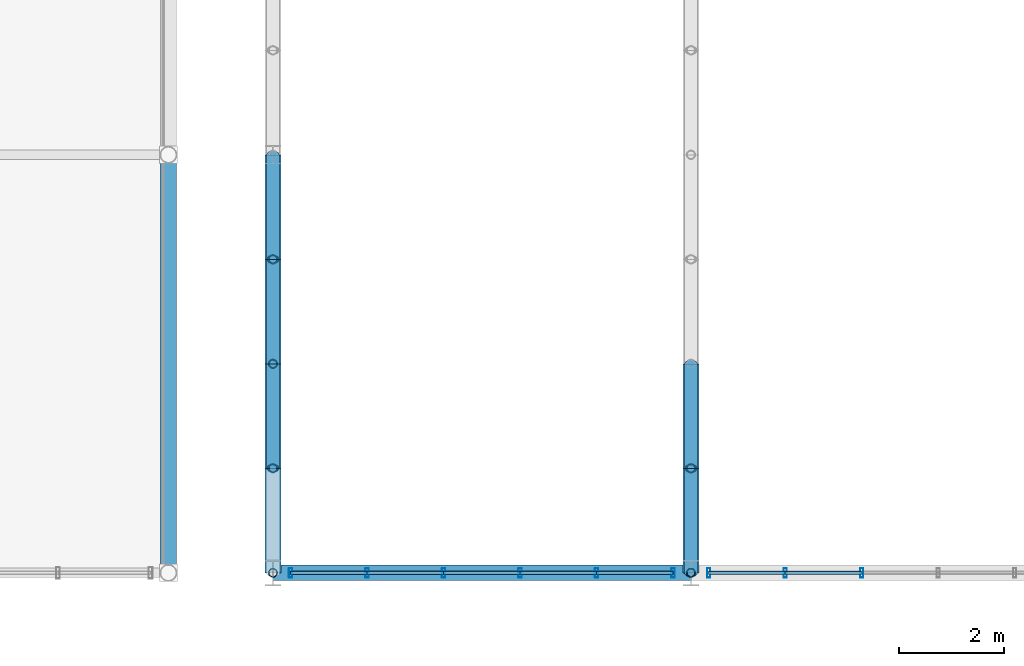
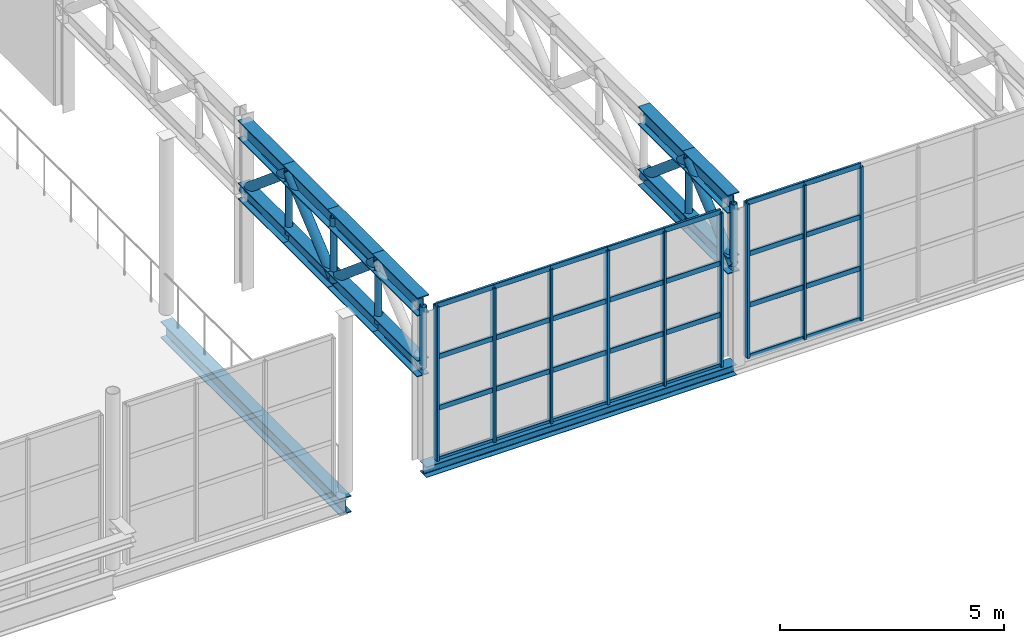
# One storey, part 37 of 143: 60 members, 2 beams, 2 elements without a shape of their own.
"""IFC4 building model written with IfcOpenShell, lengths in metres."""

from ifc_helpers import new_model, si_unit, derived_unit, direction, frame, origin, origin_2d, place, context, subcontext, project, spatial, hollow_rectangle, hollow_circle, i_section, extrude, material, material_profile, profile_set, type_object, element, aggregate, save


model = new_model("IFC4")

# Units and contexts
model_context = context("Model", 3, precision=1e-05, world=origin(), true_north=direction((0.0, 1.0)))
body_context = subcontext(model_context, "Body", "Model", "MODEL_VIEW")
ifc_project = project(units=[si_unit("LENGTHUNIT", "METRE"), si_unit("AREAUNIT", "SQUARE_METRE"), si_unit("VOLUMEUNIT", "CUBIC_METRE"), si_unit("PLANEANGLEUNIT", "RADIAN"), si_unit("MASSUNIT", "GRAM", prefix="KILO"), derived_unit("THERMALTRANSMITTANCEUNIT", [(si_unit("POWERUNIT", "WATT"), 1), (si_unit("LENGTHUNIT", "METRE"), -2), (si_unit("THERMODYNAMICTEMPERATUREUNIT", "KELVIN"), -1)])], contexts=[model_context])

# Site, building, storey
site_placement = place(None, origin())
site = spatial("IfcSite", under=ifc_project, at=site_placement, CompositionType="ELEMENT")
building_placement = place(site_placement, origin())
building = spatial("IfcBuilding", under=site, at=building_placement, Name="Keldorne Ridge Multi-Sports Centre", CompositionType="ELEMENT")
storey_placement = place(building_placement, frame((0.0, 0.0, 4.800048828125)))
storey = spatial("IfcBuildingStorey", under=building, at=storey_placement, Name="L01", CompositionType="ELEMENT", Elevation=4.800048828125)

# Beams
ifc_material_1 = material(Name="Steel S355", Category="steel")
ifc_material_profile_1 = material_profile(ifc_material_1, i_section(OverallWidth=0.300048828125, OverallDepth=0.449951171875, WebThickness=0.013916015625, FlangeThickness=0.02587890625, FilletRadius=0.027099609375, at=origin_2d()), Name="HEB 450")
ifc_profile_set_1 = profile_set([ifc_material_profile_1], Name="Steel S355")
beam_type_1 = type_object("IfcBeamType", Name="BM-B-11", PredefinedType="BEAM", material=ifc_profile_set_1)
beam_1_placement = place(storey_placement, frame((102.0, 6.0, -0.445068359375), z_axis=(0.0, 1.0, 0.0), x_axis=(-1.0, 0.0, 0.0)))
element("IfcBeam", 1, at=beam_1_placement, inside=storey, type_object=beam_type_1, Name="L01 passage girder G15.1", PredefinedType="BEAM", context=body_context, shape_type="SweptSolid", body=[
    extrude(i_section(OverallWidth=0.300048828125, OverallDepth=0.449951171875, WebThickness=0.013916015625, FlangeThickness=0.02587890625, FilletRadius=0.027099609375, at=origin_2d()), origin(), (0.0, 0.0, 1.0), 8.0),
])
ifc_material_profile_2 = material_profile(ifc_material_1, i_section(OverallWidth=0.300048828125, OverallDepth=0.2900390625, WebThickness=0.008544921875, FlangeThickness=0.013916015625, FilletRadius=0.027099609375, at=origin_2d()), Name="HEA 300")
ifc_profile_set_2 = profile_set([ifc_material_profile_2], Name="Steel S355")
beam_type_2 = type_object("IfcBeamType", Name="BM-SP-04", PredefinedType="SPANDREL", material=ifc_profile_set_2)
beam_2_placement = place(storey_placement, frame((104.0, 6.0, -0.150146484375), z_axis=(1.0, 0.0, 0.0), x_axis=(0.0, 1.0, 0.0)))
element("IfcBeam", 2, at=beam_2_placement, inside=storey, type_object=beam_type_2, Name="Stacked Courts spandrel L01.6.1", PredefinedType="SPANDREL", context=body_context, shape_type="SweptSolid", body=[
    extrude(i_section(OverallWidth=0.300048828125, OverallDepth=0.2900390625, WebThickness=0.008544921875, FlangeThickness=0.013916015625, FilletRadius=0.027099609375, at=origin_2d()), origin(), (0.0, 0.0, 1.0), 8.0),
])

# Curtain wall, members
ifc_material_2 = material(Name="Anodized aluminium", Category="aluminium")
curtain_wall_type_1 = type_object("IfcCurtainWallType", Name="CW-CW-07", PredefinedType="NOTDEFINED", material=ifc_material_2)
curtain_wall_1_placement = place(storey_placement, origin())
curtain_wall_1 = element("IfcCurtainWall", 3, at=curtain_wall_1_placement, inside=storey, type_object=curtain_wall_type_1, Name="Lower Courts high clerestory 087", PredefinedType="NOTDEFINED")
ifc_material_profile_3 = material_profile(ifc_material_2, hollow_rectangle(XDim=0.06494140625, YDim=0.179931640625, WallThickness=0.00439453125, InnerFilletRadius=0.00439453125, OuterFilletRadius=0.009033203125, at=origin_2d()), Name="ALU MULLION 180x65x4.5")
ifc_profile_set_3 = profile_set([ifc_material_profile_3], Name="Anodized aluminium")
member_type_1 = type_object("IfcMemberType", Name="MEM-ML-01", PredefinedType="MULLION", material=ifc_profile_set_3)
member_1_placement = place(storey_placement, frame((104.340087890625, 6.0, 0.0), z_axis=(0.0, 0.0, 1.0), x_axis=(1.0, 0.0, 0.0)))
member_1 = element("IfcMember", 4, at=member_1_placement, type_object=member_type_1, Name="CW-087 vertical mullion 1", PredefinedType="MULLION", context=body_context, shape_type="SweptSolid", body=[
    extrude(hollow_rectangle(XDim=0.06494140625, YDim=0.179931640625, WallThickness=0.00439453125, InnerFilletRadius=0.00439453125, OuterFilletRadius=0.009033203125, at=origin_2d()), origin(), (0.0, 0.0, 1.0), 4.199951171875),
])
member_2_placement = place(storey_placement, frame((105.803955078125, 6.0, 0.0), z_axis=(0.0, 0.0, 1.0), x_axis=(1.0, 0.0, 0.0)))
member_2 = element("IfcMember", 5, at=member_2_placement, type_object=member_type_1, Name="CW-087 vertical mullion 2", PredefinedType="MULLION", context=body_context, shape_type="SweptSolid", body=[
    extrude(hollow_rectangle(XDim=0.06494140625, YDim=0.179931640625, WallThickness=0.00439453125, InnerFilletRadius=0.00439453125, OuterFilletRadius=0.009033203125, at=origin_2d()), origin(), (0.0, 0.0, 1.0), 4.199951171875),
])
member_3_placement = place(storey_placement, frame((107.26806640625, 6.0, 0.0), z_axis=(0.0, 0.0, 1.0), x_axis=(1.0, 0.0, 0.0)))
member_3 = element("IfcMember", 6, at=member_3_placement, type_object=member_type_1, Name="CW-087 vertical mullion 3", PredefinedType="MULLION", context=body_context, shape_type="SweptSolid", body=[
    extrude(hollow_rectangle(XDim=0.06494140625, YDim=0.179931640625, WallThickness=0.00439453125, InnerFilletRadius=0.00439453125, OuterFilletRadius=0.009033203125, at=origin_2d()), origin(), (0.0, 0.0, 1.0), 4.199951171875),
])
member_4_placement = place(storey_placement, frame((108.73193359375, 6.0, 0.0), z_axis=(0.0, 0.0, 1.0), x_axis=(1.0, 0.0, 0.0)))
member_4 = element("IfcMember", 7, at=member_4_placement, type_object=member_type_1, Name="CW-087 vertical mullion 4", PredefinedType="MULLION", context=body_context, shape_type="SweptSolid", body=[
    extrude(hollow_rectangle(XDim=0.06494140625, YDim=0.179931640625, WallThickness=0.00439453125, InnerFilletRadius=0.00439453125, OuterFilletRadius=0.009033203125, at=origin_2d()), origin(), (0.0, 0.0, 1.0), 4.199951171875),
])
member_5_placement = place(storey_placement, frame((110.196044921875, 6.0, 0.0), z_axis=(0.0, 0.0, 1.0), x_axis=(1.0, 0.0, 0.0)))
member_5 = element("IfcMember", 8, at=member_5_placement, type_object=member_type_1, Name="CW-087 vertical mullion 5", PredefinedType="MULLION", context=body_context, shape_type="SweptSolid", body=[
    extrude(hollow_rectangle(XDim=0.06494140625, YDim=0.179931640625, WallThickness=0.00439453125, InnerFilletRadius=0.00439453125, OuterFilletRadius=0.009033203125, at=origin_2d()), origin(), (0.0, 0.0, 1.0), 4.199951171875),
])
member_6_placement = place(storey_placement, frame((111.659912109375, 6.0, 0.0), z_axis=(0.0, 0.0, 1.0), x_axis=(1.0, 0.0, 0.0)))
member_6 = element("IfcMember", 9, at=member_6_placement, type_object=member_type_1, Name="CW-087 vertical mullion 6", PredefinedType="MULLION", context=body_context, shape_type="SweptSolid", body=[
    extrude(hollow_rectangle(XDim=0.06494140625, YDim=0.179931640625, WallThickness=0.00439453125, InnerFilletRadius=0.00439453125, OuterFilletRadius=0.009033203125, at=origin_2d()), origin(), (0.0, 0.0, 1.0), 4.199951171875),
])

curtain_wall_type_2 = type_object("IfcCurtainWallType", Name="CW-CW-06", PredefinedType="NOTDEFINED", material=ifc_material_2)
curtain_wall_2_placement = place(storey_placement, origin())
curtain_wall_2 = element("IfcCurtainWall", 10, at=curtain_wall_2_placement, inside=storey, type_object=curtain_wall_type_2, Name="Lower Courts high clerestory 094", PredefinedType="NOTDEFINED")
member_7_placement = place(storey_placement, frame((112.340087890625, 6.0, 0.0), z_axis=(0.0, 0.0, 1.0), x_axis=(1.0, 0.0, 0.0)))
member_7 = element("IfcMember", 11, at=member_7_placement, type_object=member_type_1, Name="CW-094 vertical mullion 1", PredefinedType="MULLION", context=body_context, shape_type="SweptSolid", body=[
    extrude(hollow_rectangle(XDim=0.06494140625, YDim=0.179931640625, WallThickness=0.00439453125, InnerFilletRadius=0.00439453125, OuterFilletRadius=0.009033203125, at=origin_2d()), origin(), (0.0, 0.0, 1.0), 4.199951171875),
])
member_8_placement = place(storey_placement, frame((113.803955078125, 6.0, 0.0), z_axis=(0.0, 0.0, 1.0), x_axis=(1.0, 0.0, 0.0)))
member_8 = element("IfcMember", 12, at=member_8_placement, type_object=member_type_1, Name="CW-094 vertical mullion 2", PredefinedType="MULLION", context=body_context, shape_type="SweptSolid", body=[
    extrude(hollow_rectangle(XDim=0.06494140625, YDim=0.179931640625, WallThickness=0.00439453125, InnerFilletRadius=0.00439453125, OuterFilletRadius=0.009033203125, at=origin_2d()), origin(), (0.0, 0.0, 1.0), 4.199951171875),
])
member_9_placement = place(storey_placement, frame((115.26806640625, 6.0, 0.0), z_axis=(0.0, 0.0, 1.0), x_axis=(1.0, 0.0, 0.0)))
member_9 = element("IfcMember", 13, at=member_9_placement, type_object=member_type_1, Name="CW-094 vertical mullion 3", PredefinedType="MULLION", context=body_context, shape_type="SweptSolid", body=[
    extrude(hollow_rectangle(XDim=0.06494140625, YDim=0.179931640625, WallThickness=0.00439453125, InnerFilletRadius=0.00439453125, OuterFilletRadius=0.009033203125, at=origin_2d()), origin(), (0.0, 0.0, 1.0), 4.199951171875),
])

# Members
ifc_material_profile_4 = material_profile(ifc_material_1, i_section(OverallWidth=0.300048828125, OverallDepth=0.5, WebThickness=0.014404296875, FlangeThickness=0.028076171875, FilletRadius=0.027099609375, at=origin_2d()), Name="HEB 500")
ifc_profile_set_4 = profile_set([ifc_material_profile_4], Name="Steel S355")
member_type_2 = type_object("IfcMemberType", Name="MEM-TC-03", PredefinedType="CHORD", material=ifc_profile_set_4)
for number, where, z_axis, x_axis, name in (
    (14, (104.0, 6.0, 4.31005859375), (0.0, 1.0, 0.0), (-1.0, 0.0, 0.0), "Stacked Courts Warren TRUSS WT-L02-01 top chord 1"),
    (15, (104.0, 8.0, 4.31005859375), (0.0, 1.0, 0.0), (-1.0, 0.0, 0.0), "Stacked Courts Warren TRUSS WT-L02-01 top chord 2"),
    (16, (104.0, 10.0, 4.31005859375), (0.0, 1.0, 0.0), (-1.0, 0.0, 0.0), "Stacked Courts Warren TRUSS WT-L02-01 top chord 3"),
    (17, (104.0, 12.0, 4.31005859375), (0.0, 1.0, 0.0), (-1.0, 0.0, 0.0), "Stacked Courts Warren TRUSS WT-L02-01 top chord 4"),
    (18, (112.0, 6.0, 4.31005859375), (0.0, 1.0, 0.0), (-1.0, 0.0, 0.0), "Stacked Courts Warren TRUSS WT-L02-02 top chord 1"),
    (19, (112.0, 8.0, 4.31005859375), (0.0, 1.0, 0.0), (-1.0, 0.0, 0.0), "Stacked Courts Warren TRUSS WT-L02-02 top chord 2"),
):
    element("IfcMember", number, at=place(storey_placement, frame(where, z_axis=z_axis, x_axis=x_axis)), inside=storey, type_object=member_type_2, Name=name, PredefinedType="CHORD", context=body_context, shape_type="SweptSolid", body=[
        extrude(i_section(OverallWidth=0.300048828125, OverallDepth=0.5, WebThickness=0.014404296875, FlangeThickness=0.028076171875, FilletRadius=0.027099609375, at=origin_2d()), origin(), (0.0, 0.0, 1.0), 2.0),
    ])
ifc_material_profile_5 = material_profile(ifc_material_1, i_section(OverallWidth=0.300048828125, OverallDepth=0.449951171875, WebThickness=0.013916015625, FlangeThickness=0.02587890625, FilletRadius=0.027099609375, at=origin_2d()), Name="HEB 450")
ifc_profile_set_5 = profile_set([ifc_material_profile_5], Name="Steel S355")
member_type_3 = type_object("IfcMemberType", Name="MEM-TC-04", PredefinedType="CHORD", material=ifc_profile_set_5)
for number, where, z_axis, x_axis, name in (
    (20, (104.0, 6.0, 2.6298828125), (0.0, 1.0, 0.0), (-1.0, 0.0, 0.0), "Stacked Courts Warren TRUSS WT-L02-01 bottom chord 1"),
    (21, (104.0, 8.0, 2.6298828125), (0.0, 1.0, 0.0), (-1.0, 0.0, 0.0), "Stacked Courts Warren TRUSS WT-L02-01 bottom chord 2"),
    (22, (104.0, 10.0, 2.6298828125), (0.0, 1.0, 0.0), (-1.0, 0.0, 0.0), "Stacked Courts Warren TRUSS WT-L02-01 bottom chord 3"),
    (23, (104.0, 12.0, 2.6298828125), (0.0, 1.0, 0.0), (-1.0, 0.0, 0.0), "Stacked Courts Warren TRUSS WT-L02-01 bottom chord 4"),
    (24, (112.0, 6.0, 2.6298828125), (0.0, 1.0, 0.0), (-1.0, 0.0, 0.0), "Stacked Courts Warren TRUSS WT-L02-02 bottom chord 1"),
    (25, (112.0, 8.0, 2.6298828125), (0.0, 1.0, 0.0), (-1.0, 0.0, 0.0), "Stacked Courts Warren TRUSS WT-L02-02 bottom chord 2"),
):
    element("IfcMember", number, at=place(storey_placement, frame(where, z_axis=z_axis, x_axis=x_axis)), inside=storey, type_object=member_type_3, Name=name, PredefinedType="CHORD", context=body_context, shape_type="SweptSolid", body=[
        extrude(i_section(OverallWidth=0.300048828125, OverallDepth=0.449951171875, WebThickness=0.013916015625, FlangeThickness=0.02587890625, FilletRadius=0.027099609375, at=origin_2d()), origin(), (0.0, 0.0, 1.0), 2.0),
    ])
ifc_material_profile_6 = material_profile(ifc_material_1, hollow_circle(Radius=0.122314453125, WallThickness=0.012451171875, at=origin_2d()), Name="CHS 244.5x12.5")
ifc_profile_set_6 = profile_set([ifc_material_profile_6], Name="Steel S355")
member_type_4 = type_object("IfcMemberType", Name="MEM-TD-02", PredefinedType="BRACE", material=ifc_profile_set_6)
for number, where, z_axis, x_axis, name in (
    (26, (104.0, 8.0, 4.31005859375), (0.0, 0.765671721121, -0.643231541108), (-1.0, 0.0, 0.0), "Stacked Courts Warren TRUSS WT-L02-01 diagonal 2"),
    (27, (104.0, 10.0, 2.6298828125), (0.0, 0.765671721121, 0.643231541108), (-1.0, 0.0, 0.0), "Stacked Courts Warren TRUSS WT-L02-01 diagonal 3"),
    (28, (104.0, 12.0, 4.31005859375), (0.0, 0.765671721121, -0.643231541108), (-1.0, 0.0, 0.0), "Stacked Courts Warren TRUSS WT-L02-01 diagonal 4"),
    (29, (112.0, 6.0, 2.6298828125), (0.0, 0.765671721121, 0.643231541108), (-1.0, 0.0, 0.0), "Stacked Courts Warren TRUSS WT-L02-02 diagonal 1"),
    (30, (112.0, 8.0, 4.31005859375), (0.0, 0.765671721121, -0.643231541108), (-1.0, 0.0, 0.0), "Stacked Courts Warren TRUSS WT-L02-02 diagonal 2"),
):
    element("IfcMember", number, at=place(storey_placement, frame(where, z_axis=z_axis, x_axis=x_axis)), inside=storey, type_object=member_type_4, Name=name, PredefinedType="BRACE", context=body_context, shape_type="SweptSolid", body=[
        extrude(hollow_circle(Radius=0.122314453125, WallThickness=0.012451171875, at=origin_2d()), origin(), (0.0, 0.0, 1.0), 2.612060546875),
    ])

# Member
ifc_material_profile_7 = material_profile(ifc_material_2, hollow_rectangle(XDim=0.06494140625, YDim=0.139892578125, WallThickness=0.00439453125, InnerFilletRadius=0.00439453125, OuterFilletRadius=0.009033203125, at=origin_2d()), Name="ALU TRANSOM 140x65x4.5")
ifc_profile_set_7 = profile_set([ifc_material_profile_7], Name="Anodized aluminium")
member_type_5 = type_object("IfcMemberType", Name="MEM-TR-01", PredefinedType="USERDEFINED", material=ifc_profile_set_7)
member_10_placement = place(storey_placement, frame((104.340087890625, 6.0, 0.0), z_axis=(1.0, 0.0, 0.0), x_axis=(0.0, 1.0, 0.0)))
member_10 = element("IfcMember", 31, at=member_10_placement, type_object=member_type_5, Name="CW-087 transom 1.1", ObjectType="TRANSOM", PredefinedType="USERDEFINED", context=body_context, shape_type="SweptSolid", body=[
    extrude(hollow_rectangle(XDim=0.06494140625, YDim=0.139892578125, WallThickness=0.00439453125, InnerFilletRadius=0.00439453125, OuterFilletRadius=0.009033203125, at=origin_2d()), origin(), (0.0, 0.0, 1.0), 1.4638671875),
])

member_11_placement = place(storey_placement, frame((104.340087890625, 6.0, 1.39990234375), z_axis=(1.0, 0.0, 0.0), x_axis=(0.0, 1.0, 0.0)))
member_11 = element("IfcMember", 32, at=member_11_placement, type_object=member_type_5, Name="CW-087 transom 1.2", ObjectType="TRANSOM", PredefinedType="USERDEFINED", context=body_context, shape_type="SweptSolid", body=[
    extrude(hollow_rectangle(XDim=0.06494140625, YDim=0.139892578125, WallThickness=0.00439453125, InnerFilletRadius=0.00439453125, OuterFilletRadius=0.009033203125, at=origin_2d()), origin(), (0.0, 0.0, 1.0), 1.4638671875),
])

member_12_placement = place(storey_placement, frame((104.340087890625, 6.0, 2.800048828125), z_axis=(1.0, 0.0, 0.0), x_axis=(0.0, 1.0, 0.0)))
member_12 = element("IfcMember", 33, at=member_12_placement, type_object=member_type_5, Name="CW-087 transom 1.3", ObjectType="TRANSOM", PredefinedType="USERDEFINED", context=body_context, shape_type="SweptSolid", body=[
    extrude(hollow_rectangle(XDim=0.06494140625, YDim=0.139892578125, WallThickness=0.00439453125, InnerFilletRadius=0.00439453125, OuterFilletRadius=0.009033203125, at=origin_2d()), origin(), (0.0, 0.0, 1.0), 1.4638671875),
])

member_13_placement = place(storey_placement, frame((104.340087890625, 6.0, 4.199951171875), z_axis=(1.0, 0.0, 0.0), x_axis=(0.0, 1.0, 0.0)))
member_13 = element("IfcMember", 34, at=member_13_placement, type_object=member_type_5, Name="CW-087 transom 1.4", ObjectType="TRANSOM", PredefinedType="USERDEFINED", context=body_context, shape_type="SweptSolid", body=[
    extrude(hollow_rectangle(XDim=0.06494140625, YDim=0.139892578125, WallThickness=0.00439453125, InnerFilletRadius=0.00439453125, OuterFilletRadius=0.009033203125, at=origin_2d()), origin(), (0.0, 0.0, 1.0), 1.4638671875),
])

member_14_placement = place(storey_placement, frame((105.803955078125, 6.0, 0.0), z_axis=(1.0, 0.0, 0.0), x_axis=(0.0, 1.0, 0.0)))
member_14 = element("IfcMember", 35, at=member_14_placement, type_object=member_type_5, Name="CW-087 transom 2.1", ObjectType="TRANSOM", PredefinedType="USERDEFINED", context=body_context, shape_type="SweptSolid", body=[
    extrude(hollow_rectangle(XDim=0.06494140625, YDim=0.139892578125, WallThickness=0.00439453125, InnerFilletRadius=0.00439453125, OuterFilletRadius=0.009033203125, at=origin_2d()), origin(), (0.0, 0.0, 1.0), 1.464111328125),
])

member_15_placement = place(storey_placement, frame((105.803955078125, 6.0, 1.39990234375), z_axis=(1.0, 0.0, 0.0), x_axis=(0.0, 1.0, 0.0)))
member_15 = element("IfcMember", 36, at=member_15_placement, type_object=member_type_5, Name="CW-087 transom 2.2", ObjectType="TRANSOM", PredefinedType="USERDEFINED", context=body_context, shape_type="SweptSolid", body=[
    extrude(hollow_rectangle(XDim=0.06494140625, YDim=0.139892578125, WallThickness=0.00439453125, InnerFilletRadius=0.00439453125, OuterFilletRadius=0.009033203125, at=origin_2d()), origin(), (0.0, 0.0, 1.0), 1.464111328125),
])

member_16_placement = place(storey_placement, frame((105.803955078125, 6.0, 2.800048828125), z_axis=(1.0, 0.0, 0.0), x_axis=(0.0, 1.0, 0.0)))
member_16 = element("IfcMember", 37, at=member_16_placement, type_object=member_type_5, Name="CW-087 transom 2.3", ObjectType="TRANSOM", PredefinedType="USERDEFINED", context=body_context, shape_type="SweptSolid", body=[
    extrude(hollow_rectangle(XDim=0.06494140625, YDim=0.139892578125, WallThickness=0.00439453125, InnerFilletRadius=0.00439453125, OuterFilletRadius=0.009033203125, at=origin_2d()), origin(), (0.0, 0.0, 1.0), 1.464111328125),
])

member_17_placement = place(storey_placement, frame((105.803955078125, 6.0, 4.199951171875), z_axis=(1.0, 0.0, 0.0), x_axis=(0.0, 1.0, 0.0)))
member_17 = element("IfcMember", 38, at=member_17_placement, type_object=member_type_5, Name="CW-087 transom 2.4", ObjectType="TRANSOM", PredefinedType="USERDEFINED", context=body_context, shape_type="SweptSolid", body=[
    extrude(hollow_rectangle(XDim=0.06494140625, YDim=0.139892578125, WallThickness=0.00439453125, InnerFilletRadius=0.00439453125, OuterFilletRadius=0.009033203125, at=origin_2d()), origin(), (0.0, 0.0, 1.0), 1.464111328125),
])

member_18_placement = place(storey_placement, frame((107.26806640625, 6.0, 0.0), z_axis=(1.0, 0.0, 0.0), x_axis=(0.0, 1.0, 0.0)))
member_18 = element("IfcMember", 39, at=member_18_placement, type_object=member_type_5, Name="CW-087 transom 3.1", ObjectType="TRANSOM", PredefinedType="USERDEFINED", context=body_context, shape_type="SweptSolid", body=[
    extrude(hollow_rectangle(XDim=0.06494140625, YDim=0.139892578125, WallThickness=0.00439453125, InnerFilletRadius=0.00439453125, OuterFilletRadius=0.009033203125, at=origin_2d()), origin(), (0.0, 0.0, 1.0), 1.4638671875),
])

member_19_placement = place(storey_placement, frame((107.26806640625, 6.0, 1.39990234375), z_axis=(1.0, 0.0, 0.0), x_axis=(0.0, 1.0, 0.0)))
member_19 = element("IfcMember", 40, at=member_19_placement, type_object=member_type_5, Name="CW-087 transom 3.2", ObjectType="TRANSOM", PredefinedType="USERDEFINED", context=body_context, shape_type="SweptSolid", body=[
    extrude(hollow_rectangle(XDim=0.06494140625, YDim=0.139892578125, WallThickness=0.00439453125, InnerFilletRadius=0.00439453125, OuterFilletRadius=0.009033203125, at=origin_2d()), origin(), (0.0, 0.0, 1.0), 1.4638671875),
])

member_20_placement = place(storey_placement, frame((107.26806640625, 6.0, 2.800048828125), z_axis=(1.0, 0.0, 0.0), x_axis=(0.0, 1.0, 0.0)))
member_20 = element("IfcMember", 41, at=member_20_placement, type_object=member_type_5, Name="CW-087 transom 3.3", ObjectType="TRANSOM", PredefinedType="USERDEFINED", context=body_context, shape_type="SweptSolid", body=[
    extrude(hollow_rectangle(XDim=0.06494140625, YDim=0.139892578125, WallThickness=0.00439453125, InnerFilletRadius=0.00439453125, OuterFilletRadius=0.009033203125, at=origin_2d()), origin(), (0.0, 0.0, 1.0), 1.4638671875),
])

member_21_placement = place(storey_placement, frame((107.26806640625, 6.0, 4.199951171875), z_axis=(1.0, 0.0, 0.0), x_axis=(0.0, 1.0, 0.0)))
member_21 = element("IfcMember", 42, at=member_21_placement, type_object=member_type_5, Name="CW-087 transom 3.4", ObjectType="TRANSOM", PredefinedType="USERDEFINED", context=body_context, shape_type="SweptSolid", body=[
    extrude(hollow_rectangle(XDim=0.06494140625, YDim=0.139892578125, WallThickness=0.00439453125, InnerFilletRadius=0.00439453125, OuterFilletRadius=0.009033203125, at=origin_2d()), origin(), (0.0, 0.0, 1.0), 1.4638671875),
])

member_22_placement = place(storey_placement, frame((108.73193359375, 6.0, 0.0), z_axis=(1.0, 0.0, 0.0), x_axis=(0.0, 1.0, 0.0)))
member_22 = element("IfcMember", 43, at=member_22_placement, type_object=member_type_5, Name="CW-087 transom 4.1", ObjectType="TRANSOM", PredefinedType="USERDEFINED", context=body_context, shape_type="SweptSolid", body=[
    extrude(hollow_rectangle(XDim=0.06494140625, YDim=0.139892578125, WallThickness=0.00439453125, InnerFilletRadius=0.00439453125, OuterFilletRadius=0.009033203125, at=origin_2d()), origin(), (0.0, 0.0, 1.0), 1.464111328125),
])

member_23_placement = place(storey_placement, frame((108.73193359375, 6.0, 1.39990234375), z_axis=(1.0, 0.0, 0.0), x_axis=(0.0, 1.0, 0.0)))
member_23 = element("IfcMember", 44, at=member_23_placement, type_object=member_type_5, Name="CW-087 transom 4.2", ObjectType="TRANSOM", PredefinedType="USERDEFINED", context=body_context, shape_type="SweptSolid", body=[
    extrude(hollow_rectangle(XDim=0.06494140625, YDim=0.139892578125, WallThickness=0.00439453125, InnerFilletRadius=0.00439453125, OuterFilletRadius=0.009033203125, at=origin_2d()), origin(), (0.0, 0.0, 1.0), 1.464111328125),
])

member_24_placement = place(storey_placement, frame((108.73193359375, 6.0, 2.800048828125), z_axis=(1.0, 0.0, 0.0), x_axis=(0.0, 1.0, 0.0)))
member_24 = element("IfcMember", 45, at=member_24_placement, type_object=member_type_5, Name="CW-087 transom 4.3", ObjectType="TRANSOM", PredefinedType="USERDEFINED", context=body_context, shape_type="SweptSolid", body=[
    extrude(hollow_rectangle(XDim=0.06494140625, YDim=0.139892578125, WallThickness=0.00439453125, InnerFilletRadius=0.00439453125, OuterFilletRadius=0.009033203125, at=origin_2d()), origin(), (0.0, 0.0, 1.0), 1.464111328125),
])

member_25_placement = place(storey_placement, frame((108.73193359375, 6.0, 4.199951171875), z_axis=(1.0, 0.0, 0.0), x_axis=(0.0, 1.0, 0.0)))
member_25 = element("IfcMember", 46, at=member_25_placement, type_object=member_type_5, Name="CW-087 transom 4.4", ObjectType="TRANSOM", PredefinedType="USERDEFINED", context=body_context, shape_type="SweptSolid", body=[
    extrude(hollow_rectangle(XDim=0.06494140625, YDim=0.139892578125, WallThickness=0.00439453125, InnerFilletRadius=0.00439453125, OuterFilletRadius=0.009033203125, at=origin_2d()), origin(), (0.0, 0.0, 1.0), 1.464111328125),
])

member_26_placement = place(storey_placement, frame((110.196044921875, 6.0, 0.0), z_axis=(1.0, 0.0, 0.0), x_axis=(0.0, 1.0, 0.0)))
member_26 = element("IfcMember", 47, at=member_26_placement, type_object=member_type_5, Name="CW-087 transom 5.1", ObjectType="TRANSOM", PredefinedType="USERDEFINED", context=body_context, shape_type="SweptSolid", body=[
    extrude(hollow_rectangle(XDim=0.06494140625, YDim=0.139892578125, WallThickness=0.00439453125, InnerFilletRadius=0.00439453125, OuterFilletRadius=0.009033203125, at=origin_2d()), origin(), (0.0, 0.0, 1.0), 1.4638671875),
])

member_27_placement = place(storey_placement, frame((110.196044921875, 6.0, 1.39990234375), z_axis=(1.0, 0.0, 0.0), x_axis=(0.0, 1.0, 0.0)))
member_27 = element("IfcMember", 48, at=member_27_placement, type_object=member_type_5, Name="CW-087 transom 5.2", ObjectType="TRANSOM", PredefinedType="USERDEFINED", context=body_context, shape_type="SweptSolid", body=[
    extrude(hollow_rectangle(XDim=0.06494140625, YDim=0.139892578125, WallThickness=0.00439453125, InnerFilletRadius=0.00439453125, OuterFilletRadius=0.009033203125, at=origin_2d()), origin(), (0.0, 0.0, 1.0), 1.4638671875),
])

member_28_placement = place(storey_placement, frame((110.196044921875, 6.0, 2.800048828125), z_axis=(1.0, 0.0, 0.0), x_axis=(0.0, 1.0, 0.0)))
member_28 = element("IfcMember", 49, at=member_28_placement, type_object=member_type_5, Name="CW-087 transom 5.3", ObjectType="TRANSOM", PredefinedType="USERDEFINED", context=body_context, shape_type="SweptSolid", body=[
    extrude(hollow_rectangle(XDim=0.06494140625, YDim=0.139892578125, WallThickness=0.00439453125, InnerFilletRadius=0.00439453125, OuterFilletRadius=0.009033203125, at=origin_2d()), origin(), (0.0, 0.0, 1.0), 1.4638671875),
])

member_29_placement = place(storey_placement, frame((110.196044921875, 6.0, 4.199951171875), z_axis=(1.0, 0.0, 0.0), x_axis=(0.0, 1.0, 0.0)))
member_29 = element("IfcMember", 50, at=member_29_placement, type_object=member_type_5, Name="CW-087 transom 5.4", ObjectType="TRANSOM", PredefinedType="USERDEFINED", context=body_context, shape_type="SweptSolid", body=[
    extrude(hollow_rectangle(XDim=0.06494140625, YDim=0.139892578125, WallThickness=0.00439453125, InnerFilletRadius=0.00439453125, OuterFilletRadius=0.009033203125, at=origin_2d()), origin(), (0.0, 0.0, 1.0), 1.4638671875),
])

aggregate(curtain_wall_1, [member_1, member_2, member_3, member_4, member_5, member_6, member_10, member_11, member_12, member_13, member_14, member_15, member_16, member_17, member_18, member_19, member_20, member_21, member_22, member_23, member_24, member_25, member_26, member_27, member_28, member_29])

member_30_placement = place(storey_placement, frame((112.340087890625, 6.0, 0.0), z_axis=(1.0, 0.0, 0.0), x_axis=(0.0, 1.0, 0.0)))
member_30 = element("IfcMember", 51, at=member_30_placement, type_object=member_type_5, Name="CW-094 transom 1.1", ObjectType="TRANSOM", PredefinedType="USERDEFINED", context=body_context, shape_type="SweptSolid", body=[
    extrude(hollow_rectangle(XDim=0.06494140625, YDim=0.139892578125, WallThickness=0.00439453125, InnerFilletRadius=0.00439453125, OuterFilletRadius=0.009033203125, at=origin_2d()), origin(), (0.0, 0.0, 1.0), 1.4638671875),
])

member_31_placement = place(storey_placement, frame((112.340087890625, 6.0, 1.39990234375), z_axis=(1.0, 0.0, 0.0), x_axis=(0.0, 1.0, 0.0)))
member_31 = element("IfcMember", 52, at=member_31_placement, type_object=member_type_5, Name="CW-094 transom 1.2", ObjectType="TRANSOM", PredefinedType="USERDEFINED", context=body_context, shape_type="SweptSolid", body=[
    extrude(hollow_rectangle(XDim=0.06494140625, YDim=0.139892578125, WallThickness=0.00439453125, InnerFilletRadius=0.00439453125, OuterFilletRadius=0.009033203125, at=origin_2d()), origin(), (0.0, 0.0, 1.0), 1.4638671875),
])

member_32_placement = place(storey_placement, frame((112.340087890625, 6.0, 2.800048828125), z_axis=(1.0, 0.0, 0.0), x_axis=(0.0, 1.0, 0.0)))
member_32 = element("IfcMember", 53, at=member_32_placement, type_object=member_type_5, Name="CW-094 transom 1.3", ObjectType="TRANSOM", PredefinedType="USERDEFINED", context=body_context, shape_type="SweptSolid", body=[
    extrude(hollow_rectangle(XDim=0.06494140625, YDim=0.139892578125, WallThickness=0.00439453125, InnerFilletRadius=0.00439453125, OuterFilletRadius=0.009033203125, at=origin_2d()), origin(), (0.0, 0.0, 1.0), 1.4638671875),
])

member_33_placement = place(storey_placement, frame((112.340087890625, 6.0, 4.199951171875), z_axis=(1.0, 0.0, 0.0), x_axis=(0.0, 1.0, 0.0)))
member_33 = element("IfcMember", 54, at=member_33_placement, type_object=member_type_5, Name="CW-094 transom 1.4", ObjectType="TRANSOM", PredefinedType="USERDEFINED", context=body_context, shape_type="SweptSolid", body=[
    extrude(hollow_rectangle(XDim=0.06494140625, YDim=0.139892578125, WallThickness=0.00439453125, InnerFilletRadius=0.00439453125, OuterFilletRadius=0.009033203125, at=origin_2d()), origin(), (0.0, 0.0, 1.0), 1.4638671875),
])

member_34_placement = place(storey_placement, frame((113.803955078125, 6.0, 0.0), z_axis=(1.0, 0.0, 0.0), x_axis=(0.0, 1.0, 0.0)))
member_34 = element("IfcMember", 55, at=member_34_placement, type_object=member_type_5, Name="CW-094 transom 2.1", ObjectType="TRANSOM", PredefinedType="USERDEFINED", context=body_context, shape_type="SweptSolid", body=[
    extrude(hollow_rectangle(XDim=0.06494140625, YDim=0.139892578125, WallThickness=0.00439453125, InnerFilletRadius=0.00439453125, OuterFilletRadius=0.009033203125, at=origin_2d()), origin(), (0.0, 0.0, 1.0), 1.464111328125),
])

member_35_placement = place(storey_placement, frame((113.803955078125, 6.0, 1.39990234375), z_axis=(1.0, 0.0, 0.0), x_axis=(0.0, 1.0, 0.0)))
member_35 = element("IfcMember", 56, at=member_35_placement, type_object=member_type_5, Name="CW-094 transom 2.2", ObjectType="TRANSOM", PredefinedType="USERDEFINED", context=body_context, shape_type="SweptSolid", body=[
    extrude(hollow_rectangle(XDim=0.06494140625, YDim=0.139892578125, WallThickness=0.00439453125, InnerFilletRadius=0.00439453125, OuterFilletRadius=0.009033203125, at=origin_2d()), origin(), (0.0, 0.0, 1.0), 1.464111328125),
])

member_36_placement = place(storey_placement, frame((113.803955078125, 6.0, 2.800048828125), z_axis=(1.0, 0.0, 0.0), x_axis=(0.0, 1.0, 0.0)))
member_36 = element("IfcMember", 57, at=member_36_placement, type_object=member_type_5, Name="CW-094 transom 2.3", ObjectType="TRANSOM", PredefinedType="USERDEFINED", context=body_context, shape_type="SweptSolid", body=[
    extrude(hollow_rectangle(XDim=0.06494140625, YDim=0.139892578125, WallThickness=0.00439453125, InnerFilletRadius=0.00439453125, OuterFilletRadius=0.009033203125, at=origin_2d()), origin(), (0.0, 0.0, 1.0), 1.464111328125),
])

member_37_placement = place(storey_placement, frame((113.803955078125, 6.0, 4.199951171875), z_axis=(1.0, 0.0, 0.0), x_axis=(0.0, 1.0, 0.0)))
member_37 = element("IfcMember", 58, at=member_37_placement, type_object=member_type_5, Name="CW-094 transom 2.4", ObjectType="TRANSOM", PredefinedType="USERDEFINED", context=body_context, shape_type="SweptSolid", body=[
    extrude(hollow_rectangle(XDim=0.06494140625, YDim=0.139892578125, WallThickness=0.00439453125, InnerFilletRadius=0.00439453125, OuterFilletRadius=0.009033203125, at=origin_2d()), origin(), (0.0, 0.0, 1.0), 1.464111328125),
])

aggregate(curtain_wall_2, [member_7, member_8, member_9, member_30, member_31, member_32, member_33, member_34, member_35, member_36, member_37])

# Members
ifc_material_profile_8 = material_profile(ifc_material_1, hollow_circle(Radius=0.084228515625, WallThickness=0.010009765625, at=origin_2d()), Name="CHS 168.3x10")
ifc_profile_set_8 = profile_set([ifc_material_profile_8], Name="Steel S355")
member_type_6 = type_object("IfcMemberType", Name="MEM-TV-01", PredefinedType="STRUT", material=ifc_profile_set_8)
for number, where, z_axis, x_axis, name in (
    (59, (104.0, 6.0, 2.6298828125), (0.0, 0.0, 1.0), (1.0, 0.0, 0.0), "Stacked Courts Warren TRUSS WT-L02-01 post 1"),
    (60, (104.0, 8.0, 2.6298828125), (0.0, 0.0, 1.0), (1.0, 0.0, 0.0), "Stacked Courts Warren TRUSS WT-L02-01 post 2"),
    (61, (104.0, 10.0, 2.6298828125), (0.0, 0.0, 1.0), (1.0, 0.0, 0.0), "Stacked Courts Warren TRUSS WT-L02-01 post 3"),
    (62, (104.0, 12.0, 2.6298828125), (0.0, 0.0, 1.0), (1.0, 0.0, 0.0), "Stacked Courts Warren TRUSS WT-L02-01 post 4"),
    (63, (112.0, 6.0, 2.6298828125), (0.0, 0.0, 1.0), (1.0, 0.0, 0.0), "Stacked Courts Warren TRUSS WT-L02-02 post 1"),
    (64, (112.0, 8.0, 2.6298828125), (0.0, 0.0, 1.0), (1.0, 0.0, 0.0), "Stacked Courts Warren TRUSS WT-L02-02 post 2"),
):
    element("IfcMember", number, at=place(storey_placement, frame(where, z_axis=z_axis, x_axis=x_axis)), inside=storey, type_object=member_type_6, Name=name, PredefinedType="STRUT", context=body_context, shape_type="SweptSolid", body=[
        extrude(hollow_circle(Radius=0.084228515625, WallThickness=0.010009765625, at=origin_2d()), origin(), (0.0, 0.0, 1.0), 1.68017578125),
    ])

save(model, "model.ifc")
